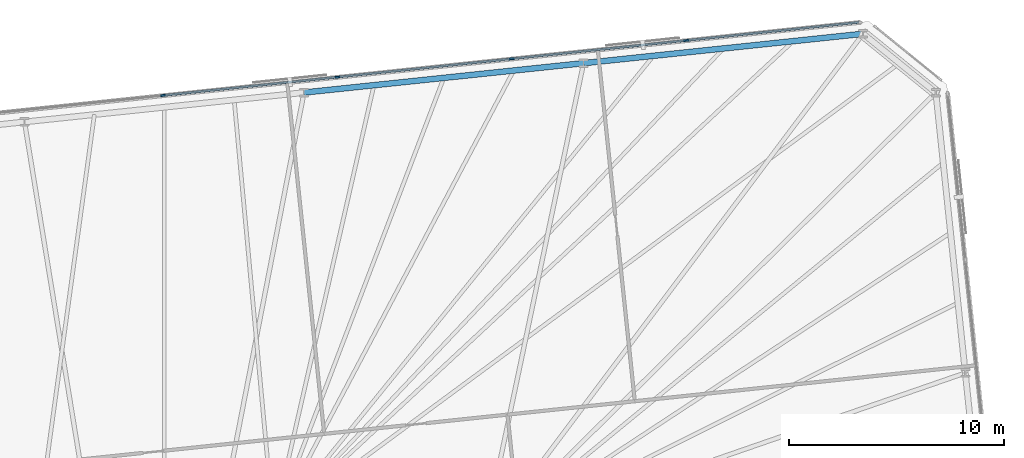
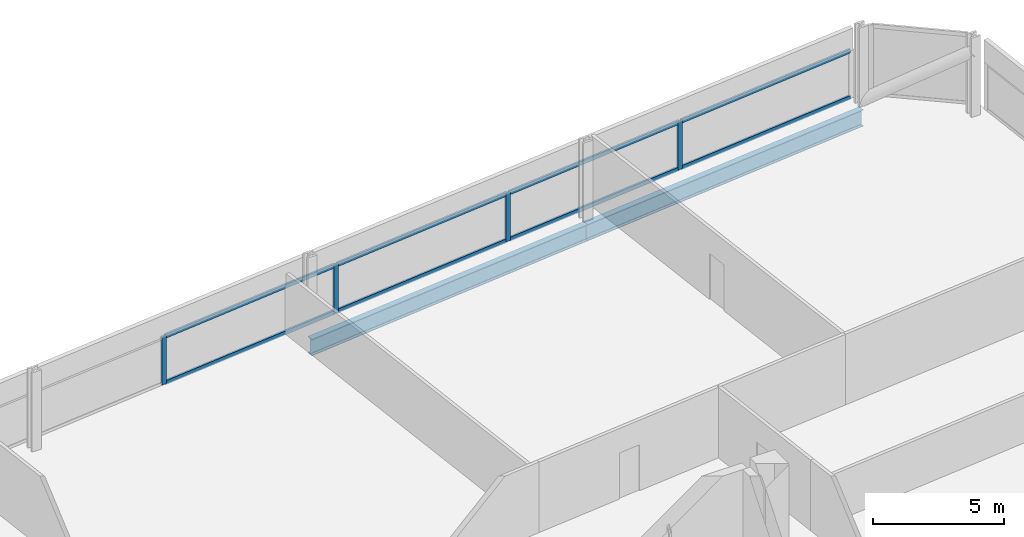
# One storey, part 11 of 18: 12 members, 2 beams, 1 element without a shape of its own.
"""IFC4 building model written with IfcOpenShell, lengths in metres."""

from ifc_helpers import new_model, si_unit, direction, frame, origin, origin_2d, place, context, subcontext, project, spatial, rectangle, i_section, extrude, material, material_profile, profile_set, type_object, element, aggregate, save


model = new_model("IFC4")

# Units and contexts
model_context = context("Model", 3, precision=1e-05, world=origin(), true_north=direction((0.0, 1.0)))
body_context = subcontext(model_context, "Body", "Model", "MODEL_VIEW")
ifc_project = project(units=[si_unit("LENGTHUNIT", "METRE"), si_unit("AREAUNIT", "SQUARE_METRE"), si_unit("VOLUMEUNIT", "CUBIC_METRE"), si_unit("PLANEANGLEUNIT", "RADIAN"), si_unit("MASSUNIT", "GRAM", prefix="KILO")], contexts=[model_context])

# Site, building, storey
site_placement = place(None, origin())
site = spatial("IfcSite", under=ifc_project, at=site_placement, CompositionType="ELEMENT")
building_placement = place(site_placement, origin())
building = spatial("IfcBuilding", under=site, at=building_placement, Name="Menara Jurai Vektor", CompositionType="ELEMENT")
storey_placement = place(building_placement, frame((0.0, 0.0, 139.199951171875)))
storey = spatial("IfcBuildingStorey", under=building, at=storey_placement, Name="L35", CompositionType="ELEMENT", Elevation=139.199951171875)

# Curtain wall, members
ifc_material_1 = material(Name="Anodised Pale Aluminium & Low-E Double Glazing", Category="aluminium")
curtain_wall_type = type_object("IfcCurtainWallType", Name="CW-BLK2", PredefinedType="NOTDEFINED", material=ifc_material_1)
curtain_wall_placement = place(storey_placement, origin())
curtain_wall = element("IfcCurtainWall", 1, at=curtain_wall_placement, inside=storey, type_object=curtain_wall_type, Name="Unitised Curtain Wall L35 F05", PredefinedType="NOTDEFINED")
ifc_material_2 = material(Name="Anodised Pale Aluminium Mullion", Category="aluminium")
ifc_material_profile_1 = material_profile(ifc_material_2, rectangle(XDim=0.090087890625, YDim=0.219970703125, at=origin_2d()), Name="ALU MUL 90x220")
ifc_profile_set_1 = profile_set([ifc_material_profile_1], Name="Anodised Pale Aluminium Mullion")
member_type_1 = type_object("IfcMemberType", Name="CW-BLK2-MUL", PredefinedType="MULLION", material=ifc_profile_set_1)
member_1_placement = place(storey_placement, frame((24.663330078125, 28.075927734375, 0.0), z_axis=(0.0, 0.0, 1.0), x_axis=(0.104528634935, -0.994521877325, 0.0)))
member_1 = element("IfcMember", 2, at=member_1_placement, type_object=member_type_1, Name="CW-02 mullion 2", PredefinedType="MULLION", context=body_context, shape_type="SweptSolid", body=[
    extrude(rectangle(XDim=0.090087890625, YDim=0.219970703125, at=origin_2d()), origin(), (0.0, 0.0, 1.0), 2.259033203125),
])
member_2_placement = place(storey_placement, frame((16.5654296875, 27.224853515625, 0.0), z_axis=(0.0, 0.0, 1.0), x_axis=(0.104528634935, -0.994521877325, 0.0)))
member_2 = element("IfcMember", 3, at=member_2_placement, type_object=member_type_1, Name="CW-02 mullion 3", PredefinedType="MULLION", context=body_context, shape_type="SweptSolid", body=[
    extrude(rectangle(XDim=0.090087890625, YDim=0.219970703125, at=origin_2d()), origin(), (0.0, 0.0, 1.0), 2.259033203125),
])
member_3_placement = place(storey_placement, frame((8.467529296875, 26.373779296875, 0.0), z_axis=(0.0, 0.0, 1.0), x_axis=(0.104528634935, -0.994521877325, 0.0)))
member_3 = element("IfcMember", 4, at=member_3_placement, type_object=member_type_1, Name="CW-02 mullion 4", PredefinedType="MULLION", context=body_context, shape_type="SweptSolid", body=[
    extrude(rectangle(XDim=0.090087890625, YDim=0.219970703125, at=origin_2d()), origin(), (0.0, 0.0, 1.0), 2.259033203125),
])
member_4_placement = place(storey_placement, frame((0.36962890625, 25.522705078125, 0.0), z_axis=(0.0, 0.0, 1.0), x_axis=(0.104528634935, -0.994521877325, 0.0)))
member_4 = element("IfcMember", 5, at=member_4_placement, type_object=member_type_1, Name="CW-02 mullion 5", PredefinedType="MULLION", context=body_context, shape_type="SweptSolid", body=[
    extrude(rectangle(XDim=0.090087890625, YDim=0.219970703125, at=origin_2d()), origin(), (0.0, 0.0, 1.0), 2.259033203125),
])
ifc_material_3 = material(Name="Anodised Pale Aluminium Transom", Category="aluminium")
ifc_material_profile_2 = material_profile(ifc_material_3, rectangle(XDim=0.090087890625, YDim=0.18505859375, at=origin_2d()), Name="ALU TRN 90x185")
ifc_profile_set_2 = profile_set([ifc_material_profile_2], Name="Anodised Pale Aluminium Transom")
member_type_2 = type_object("IfcMemberType", Name="CW-BLK2-TRN", PredefinedType="USERDEFINED", material=ifc_profile_set_2)
member_5_placement = place(storey_placement, frame((32.671875, 28.917724609375, 0.045166015625), z_axis=(-0.994519977808, -0.104546706027, 0.0), x_axis=(0.104546706027, -0.994519977808, 0.0)))
member_5 = element("IfcMember", 6, at=member_5_placement, type_object=member_type_2, Name="CW-02 transom 1.1", ObjectType="TRANSOM", PredefinedType="USERDEFINED", context=body_context, shape_type="SweptSolid", body=[
    extrude(rectangle(XDim=0.090087890625, YDim=0.18505859375, at=origin_2d()), origin(), (0.0, 0.0, 1.0), 8.007568359375),
])
member_6_placement = place(storey_placement, frame((32.671875, 28.917724609375, 2.214111328125), z_axis=(-0.994519977808, -0.104546706027, 0.0), x_axis=(0.104546706027, -0.994519977808, 0.0)))
member_6 = element("IfcMember", 7, at=member_6_placement, type_object=member_type_2, Name="CW-02 transom 1.2", ObjectType="TRANSOM", PredefinedType="USERDEFINED", context=body_context, shape_type="SweptSolid", body=[
    extrude(rectangle(XDim=0.090087890625, YDim=0.18505859375, at=origin_2d()), origin(), (0.0, 0.0, 1.0), 8.007568359375),
])
member_7_placement = place(storey_placement, frame((24.61865234375, 28.0712890625, 0.045166015625), z_axis=(-0.994520726373, -0.10453958492, 0.0), x_axis=(0.10453958492, -0.994520726373, 0.0)))
member_7 = element("IfcMember", 8, at=member_7_placement, type_object=member_type_2, Name="CW-02 transom 2.1", ObjectType="TRANSOM", PredefinedType="USERDEFINED", context=body_context, shape_type="SweptSolid", body=[
    extrude(rectangle(XDim=0.090087890625, YDim=0.18505859375, at=origin_2d()), origin(), (0.0, 0.0, 1.0), 8.052490234375),
])
member_8_placement = place(storey_placement, frame((24.61865234375, 28.0712890625, 2.214111328125), z_axis=(-0.994520726373, -0.10453958492, 0.0), x_axis=(0.10453958492, -0.994520726373, 0.0)))
member_8 = element("IfcMember", 9, at=member_8_placement, type_object=member_type_2, Name="CW-02 transom 2.2", ObjectType="TRANSOM", PredefinedType="USERDEFINED", context=body_context, shape_type="SweptSolid", body=[
    extrude(rectangle(XDim=0.090087890625, YDim=0.18505859375, at=origin_2d()), origin(), (0.0, 0.0, 1.0), 8.052490234375),
])
member_9_placement = place(storey_placement, frame((16.520751953125, 27.22021484375, 0.045166015625), z_axis=(-0.994520726373, -0.10453958492, 0.0), x_axis=(0.10453958492, -0.994520726373, 0.0)))
member_9 = element("IfcMember", 10, at=member_9_placement, type_object=member_type_2, Name="CW-02 transom 3.1", ObjectType="TRANSOM", PredefinedType="USERDEFINED", context=body_context, shape_type="SweptSolid", body=[
    extrude(rectangle(XDim=0.090087890625, YDim=0.18505859375, at=origin_2d()), origin(), (0.0, 0.0, 1.0), 8.052490234375),
])
member_10_placement = place(storey_placement, frame((16.520751953125, 27.22021484375, 2.214111328125), z_axis=(-0.994520726373, -0.10453958492, 0.0), x_axis=(0.10453958492, -0.994520726373, 0.0)))
member_10 = element("IfcMember", 11, at=member_10_placement, type_object=member_type_2, Name="CW-02 transom 3.2", ObjectType="TRANSOM", PredefinedType="USERDEFINED", context=body_context, shape_type="SweptSolid", body=[
    extrude(rectangle(XDim=0.090087890625, YDim=0.18505859375, at=origin_2d()), origin(), (0.0, 0.0, 1.0), 8.052490234375),
])
member_11_placement = place(storey_placement, frame((8.4228515625, 26.369140625, 0.045166015625), z_axis=(-0.994520726373, -0.10453958492, 0.0), x_axis=(0.10453958492, -0.994520726373, 0.0)))
member_11 = element("IfcMember", 12, at=member_11_placement, type_object=member_type_2, Name="CW-02 transom 4.1", ObjectType="TRANSOM", PredefinedType="USERDEFINED", context=body_context, shape_type="SweptSolid", body=[
    extrude(rectangle(XDim=0.090087890625, YDim=0.18505859375, at=origin_2d()), origin(), (0.0, 0.0, 1.0), 8.052490234375),
])
member_12_placement = place(storey_placement, frame((8.4228515625, 26.369140625, 2.214111328125), z_axis=(-0.994520726373, -0.10453958492, 0.0), x_axis=(0.10453958492, -0.994520726373, 0.0)))
member_12 = element("IfcMember", 13, at=member_12_placement, type_object=member_type_2, Name="CW-02 transom 4.2", ObjectType="TRANSOM", PredefinedType="USERDEFINED", context=body_context, shape_type="SweptSolid", body=[
    extrude(rectangle(XDim=0.090087890625, YDim=0.18505859375, at=origin_2d()), origin(), (0.0, 0.0, 1.0), 8.052490234375),
])
aggregate(curtain_wall, [member_1, member_2, member_3, member_4, member_5, member_6, member_7, member_8, member_9, member_10, member_11, member_12])

# Beams
ifc_material_4 = material(Name="Steel S460", Category="steel")
ifc_material_profile_3 = material_profile(ifc_material_4, i_section(OverallWidth=0.26806640625, OverallDepth=0.77001953125, WebThickness=0.01611328125, FlangeThickness=0.02490234375, FilletRadius=0.01708984375, at=origin_2d()), Name="UKB 762x267x197")
ifc_profile_set_3 = profile_set([ifc_material_profile_3], Name="Steel S460")
beam_type = type_object("IfcBeamType", Name="STR-SP-762", PredefinedType="SPANDREL", material=ifc_profile_set_3)
beam_1_placement = place(storey_placement, frame((32.876220703125, 28.38623046875, -0.60986328125), z_axis=(-0.994521431679, -0.104532874882, 0.0), x_axis=(0.104532874882, -0.994521431679, 0.0)))
element("IfcBeam", 14, at=beam_1_placement, inside=storey, type_object=beam_type, Name="Exoskeleton Spandrel Beam L35-11", PredefinedType="SPANDREL", context=body_context, shape_type="SweptSolid", body=[
    extrude(i_section(OverallWidth=0.26806640625, OverallDepth=0.77001953125, WebThickness=0.01611328125, FlangeThickness=0.02490234375, FilletRadius=0.01708984375, at=origin_2d()), origin(), (0.0, 0.0, 1.0), 13.051025390625),
])
beam_2_placement = place(storey_placement, frame((19.896728515625, 27.02197265625, -0.60986328125), z_axis=(-0.994521636083, -0.104530930169, 0.0), x_axis=(0.104530930169, -0.994521636083, 0.0)))
element("IfcBeam", 15, at=beam_2_placement, inside=storey, type_object=beam_type, Name="Exoskeleton Spandrel Beam L35-12", PredefinedType="SPANDREL", context=body_context, shape_type="SweptSolid", body=[
    extrude(i_section(OverallWidth=0.26806640625, OverallDepth=0.77001953125, WebThickness=0.01611328125, FlangeThickness=0.02490234375, FilletRadius=0.01708984375, at=origin_2d()), origin(), (0.0, 0.0, 1.0), 13.05126953125),
])

save(model, "model.ifc")
